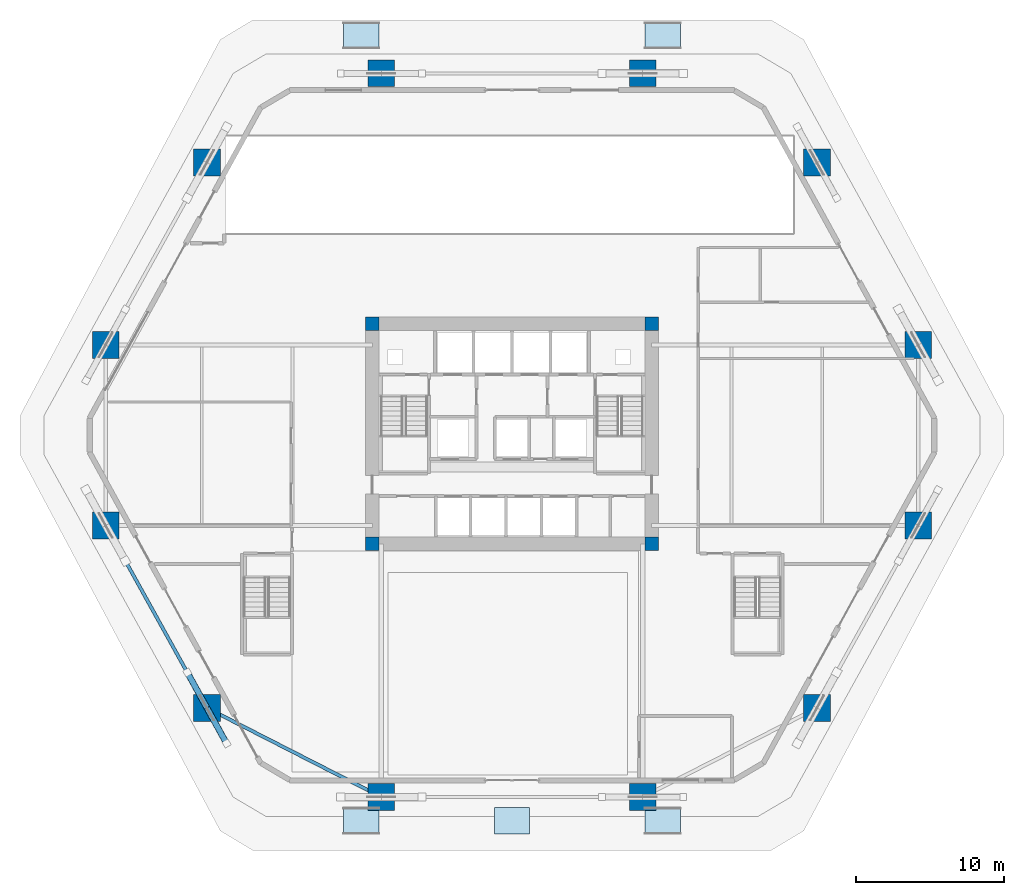
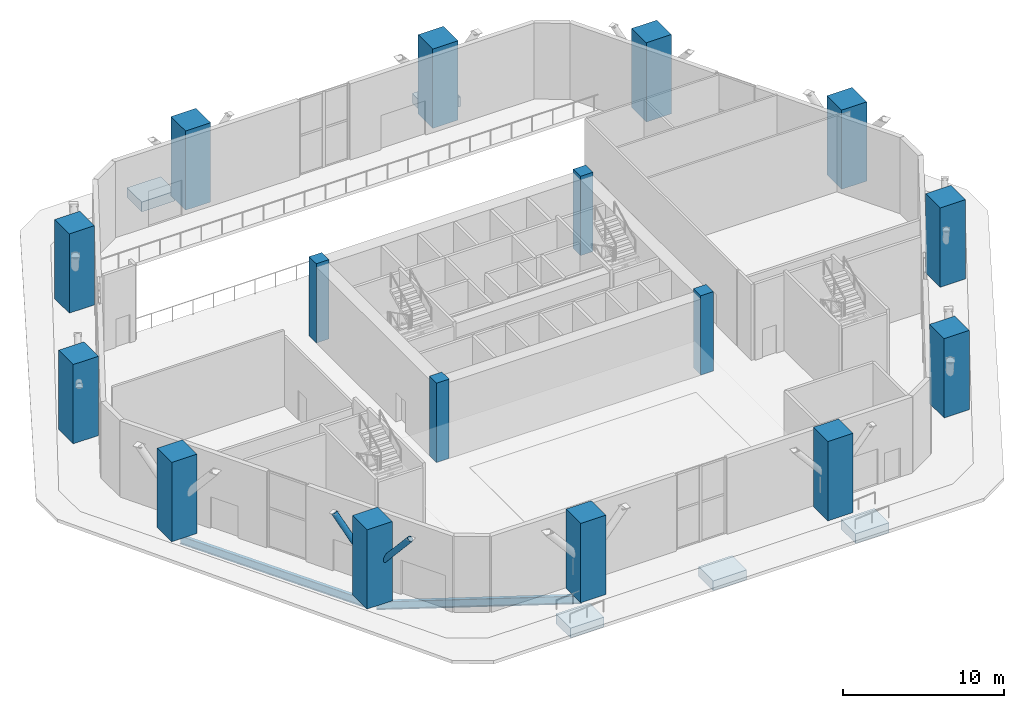
# One storey, part 1 of 22: 16 columns, 5 footings, 2 beams, 2 members.
"""IFC4 building model written with IfcOpenShell, lengths in metres."""

from ifc_helpers import new_model, si_unit, direction, frame, origin, origin_2d, place, context, subcontext, project, spatial, polyline, rectangle, hollow_circle, i_section, outline, extrude, material, material_profile, profile_set, type_object, element, save


model = new_model("IFC4")

# Units and contexts
model_context = context("Model", 3, precision=1e-05, world=origin(), true_north=direction((0.0, 1.0)))
body_context = subcontext(model_context, "Body", "Model", "MODEL_VIEW")
ifc_project = project(units=[si_unit("LENGTHUNIT", "METRE"), si_unit("AREAUNIT", "SQUARE_METRE"), si_unit("VOLUMEUNIT", "CUBIC_METRE"), si_unit("PLANEANGLEUNIT", "RADIAN"), si_unit("MASSUNIT", "GRAM", prefix="KILO")], contexts=[model_context])

# Site, building, storey
site_placement = place(None, origin())
site = spatial("IfcSite", under=ifc_project, at=site_placement, CompositionType="ELEMENT")
building_placement = place(site_placement, origin())
building = spatial("IfcBuilding", under=site, at=building_placement, Name="Cinnabar Lancet Tower", CompositionType="ELEMENT")
storey_placement = place(building_placement, origin())
storey = spatial("IfcBuildingStorey", under=building, at=storey_placement, Name="L00", CompositionType="ELEMENT", Elevation=0.0)

# Footings
ifc_material_1 = material(Name="Concrete C60/75", Category="concrete")
ifc_material_profile_1 = material_profile(ifc_material_1, rectangle(XDim=1.199951171875, YDim=1.199951171875, at=origin_2d()), Name="RC-FB 1200x1200")
ifc_profile_set_1 = profile_set([ifc_material_profile_1], Name="Concrete C60/75")
footing_type = type_object("IfcFootingType", Name="STR-FTG-FB-1200", PredefinedType="FOOTING_BEAM", material=ifc_profile_set_1)
footing_1_placement = place(storey_placement, frame((0.0, 0.0, -1.10009765625)))
element("IfcFooting", 1, at=footing_1_placement, inside=storey, type_object=footing_type, Name="Accessible Ramp AR-01 Strip Footing", PredefinedType="FOOTING_BEAM", context=body_context, shape_type="SweptSolid", body=[
    extrude(outline(polyline([(21.0, -1.199951171875), (23.39990234375, -1.199951171875), (23.39990234375, 0.60009765625), (21.0, 0.60009765625), (21.0, -1.199951171875)])), origin(), (0.0, 0.0, 1.0), 0.739990234375),
])
footing_2_placement = place(storey_placement, frame((0.0, 0.0, -1.10009765625)))
element("IfcFooting", 2, at=footing_2_placement, inside=storey, type_object=footing_type, Name="Accessible Ramp AR-02 Strip Footing", PredefinedType="FOOTING_BEAM", context=body_context, shape_type="SweptSolid", body=[
    extrude(outline(polyline([(41.39990234375, -1.199951171875), (43.800048828125, -1.199951171875), (43.800048828125, 0.60009765625), (41.39990234375, 0.60009765625), (41.39990234375, -1.199951171875)])), origin(), (0.0, 0.0, 1.0), 0.739990234375),
])
footing_3_placement = place(storey_placement, frame((0.0, 0.0, -1.10009765625)))
element("IfcFooting", 3, at=footing_3_placement, inside=storey, type_object=footing_type, Name="Accessible Ramp AR-03 Strip Footing", PredefinedType="FOOTING_BEAM", context=body_context, shape_type="SweptSolid", body=[
    extrude(outline(polyline([(31.199951171875, -1.199951171875), (33.60009765625, -1.199951171875), (33.60009765625, 0.60009765625), (31.199951171875, 0.60009765625), (31.199951171875, -1.199951171875)])), origin(), (0.0, 0.0, 1.0), 0.739990234375),
])
footing_4_placement = place(storey_placement, frame((0.0, 0.0, -1.10009765625)))
element("IfcFooting", 4, at=footing_4_placement, inside=storey, type_object=footing_type, Name="Accessible Ramp AR-04 Strip Footing", PredefinedType="FOOTING_BEAM", context=body_context, shape_type="SweptSolid", body=[
    extrude(outline(polyline([(21.0, 51.949951171875), (23.39990234375, 51.949951171875), (23.39990234375, 53.75), (21.0, 53.75), (21.0, 51.949951171875)])), origin(), (0.0, 0.0, 1.0), 0.739990234375),
])
footing_5_placement = place(storey_placement, frame((0.0, 0.0, -1.10009765625)))
element("IfcFooting", 5, at=footing_5_placement, inside=storey, type_object=footing_type, Name="Accessible Ramp AR-05 Strip Footing", PredefinedType="FOOTING_BEAM", context=body_context, shape_type="SweptSolid", body=[
    extrude(outline(polyline([(41.39990234375, 51.949951171875), (43.800048828125, 51.949951171875), (43.800048828125, 53.75), (41.39990234375, 53.75), (41.39990234375, 51.949951171875)])), origin(), (0.0, 0.0, 1.0), 0.739990234375),
])

# Columns
ifc_material_2 = material(Name="Concrete C80/95", Category="concrete")
ifc_material_profile_2 = material_profile(ifc_material_2, rectangle(XDim=0.89990234375, YDim=0.89990234375, at=origin_2d()), Name="RC-COL 900x900")
ifc_profile_set_2 = profile_set([ifc_material_profile_2], Name="Concrete C80/95")
column_type_1 = type_object("IfcColumnType", Name="STR-COL-CORE-900", PredefinedType="COLUMN", material=ifc_profile_set_2)
for number, where, z_axis, x_axis, name in (
    (6, (22.949951171875, 18.449951171875, 0.0), (0.0, 0.0, 1.0), (1.0, 0.0, 0.0), "L00 Core Corner Column SW"),
    (7, (41.85009765625, 18.449951171875, 0.0), (0.0, 0.0, 1.0), (1.0, 0.0, 0.0), "L00 Core Corner Column SE"),
    (8, (41.85009765625, 33.35009765625, 0.0), (0.0, 0.0, 1.0), (1.0, 0.0, 0.0), "L00 Core Corner Column NE"),
    (9, (22.949951171875, 33.35009765625, 0.0), (0.0, 0.0, 1.0), (1.0, 0.0, 0.0), "L00 Core Corner Column NW"),
):
    element("IfcColumn", number, at=place(storey_placement, frame(where, z_axis=z_axis, x_axis=x_axis)), inside=storey, type_object=column_type_1, Name=name, PredefinedType="COLUMN", context=body_context, shape_type="SweptSolid", body=[
        extrude(rectangle(XDim=0.89990234375, YDim=0.89990234375, at=origin_2d()), origin(), (0.0, 0.0, 1.0), 6.0),
    ])
ifc_material_3 = material(Name="Concrete C80/95", Category="concrete")
ifc_material_profile_3 = material_profile(ifc_material_3, rectangle(XDim=1.800048828125, YDim=1.800048828125, at=origin_2d()), Name="RC-MEGA 1800x1800")
ifc_profile_set_3 = profile_set([ifc_material_profile_3], Name="Concrete C80/95")
column_type_2 = type_object("IfcColumnType", Name="STR-COL-MEGA-1800", PredefinedType="COLUMN", material=ifc_profile_set_3)
for number, where, z_axis, x_axis, name in (
    (10, (23.554931640625, 1.31689453125, 0.0), (0.0, 0.0, 1.0), (1.0, 0.0, 0.0), "L00 Y-Pilotis Mega-Column 1"),
    (11, (41.2451171875, 1.31689453125, 0.0), (0.0, 0.0, 1.0), (1.0, 0.0, 0.0), "L00 Y-Pilotis Mega-Column 2"),
    (12, (53.04296875, 7.343994140625, 0.0), (0.0, 0.0, 1.0), (1.0, 0.0, 0.0), "L00 Y-Pilotis Mega-Column 3"),
    (13, (59.89111328125, 19.69189453125, 0.0), (0.0, 0.0, 1.0), (1.0, 0.0, 0.0), "L00 Y-Pilotis Mega-Column 4"),
    (14, (59.89111328125, 31.907958984375, 0.0), (0.0, 0.0, 1.0), (1.0, 0.0, 0.0), "L00 Y-Pilotis Mega-Column 5"),
    (15, (53.04296875, 44.256103515625, 0.0), (0.0, 0.0, 1.0), (1.0, 0.0, 0.0), "L00 Y-Pilotis Mega-Column 6"),
    (16, (41.2451171875, 50.282958984375, 0.0), (0.0, 0.0, 1.0), (1.0, 0.0, 0.0), "L00 Y-Pilotis Mega-Column 7"),
    (17, (23.554931640625, 50.282958984375, 0.0), (0.0, 0.0, 1.0), (1.0, 0.0, 0.0), "L00 Y-Pilotis Mega-Column 8"),
    (18, (11.757080078125, 44.256103515625, 0.0), (0.0, 0.0, 1.0), (1.0, 0.0, 0.0), "L00 Y-Pilotis Mega-Column 9"),
    (19, (4.908935546875, 31.907958984375, 0.0), (0.0, 0.0, 1.0), (1.0, 0.0, 0.0), "L00 Y-Pilotis Mega-Column 10"),
    (20, (4.908935546875, 19.69189453125, 0.0), (0.0, 0.0, 1.0), (1.0, 0.0, 0.0), "L00 Y-Pilotis Mega-Column 11"),
    (21, (11.757080078125, 7.343994140625, 0.0), (0.0, 0.0, 1.0), (1.0, 0.0, 0.0), "L00 Y-Pilotis Mega-Column 12"),
):
    element("IfcColumn", number, at=place(storey_placement, frame(where, z_axis=z_axis, x_axis=x_axis)), inside=storey, type_object=column_type_2, Name=name, PredefinedType="COLUMN", context=body_context, shape_type="SweptSolid", body=[
        extrude(rectangle(XDim=1.800048828125, YDim=1.800048828125, at=origin_2d()), origin(), (0.0, 0.0, 1.0), 6.0),
    ])

# Beams
ifc_material_4 = material(Name="Structural steel S355", Category="steel")
ifc_material_profile_4 = material_profile(ifc_material_4, i_section(OverallWidth=0.228271484375, OverallDepth=0.607666015625, WebThickness=0.010986328125, FlangeThickness=0.017333984375, FilletRadius=0.0126953125, at=origin_2d()), Name="UKB 610x229x113")
ifc_profile_set_4 = profile_set([ifc_material_profile_4], Name="Structural steel S355")
beam_type = type_object("IfcBeamType", Name="STR-BM-SPN-610", PredefinedType="SPANDREL", material=ifc_profile_set_4)
beam_1_placement = place(storey_placement, frame((5.030029296875, 19.472900390625, -0.553955078125), z_axis=(0.485044660428, -0.874489380947, 0.0), x_axis=(0.874489380947, 0.485044660428, 0.0)))
element("IfcBeam", 22, at=beam_1_placement, inside=storey, type_object=beam_type, Name="L00 Perimeter Spandrel 11", PredefinedType="SPANDREL", context=body_context, shape_type="SweptSolid", body=[
    extrude(i_section(OverallWidth=0.228271484375, OverallDepth=0.607666015625, WebThickness=0.010986328125, FlangeThickness=0.017333984375, FilletRadius=0.0126953125, at=origin_2d()), origin(), (0.0, 0.0, 1.0), 13.619384765625),
])
beam_2_placement = place(storey_placement, frame((11.97998046875, 7.22998046875, -0.553955078125), z_axis=(0.890532798964, -0.454919041116, 0.0), x_axis=(0.454919041116, 0.890532798964, 0.0)))
element("IfcBeam", 23, at=beam_2_placement, inside=storey, type_object=beam_type, Name="L00 Perimeter Spandrel 12", PredefinedType="SPANDREL", context=body_context, shape_type="SweptSolid", body=[
    extrude(i_section(OverallWidth=0.228271484375, OverallDepth=0.607666015625, WebThickness=0.010986328125, FlangeThickness=0.017333984375, FilletRadius=0.0126953125, at=origin_2d()), origin(), (0.0, 0.0, 1.0), 12.74755859375),
])

# Members
ifc_material_5 = material(Name="Structural steel S460", Category="steel")
ifc_material_profile_5 = material_profile(ifc_material_5, hollow_circle(Radius=0.203125, WallThickness=0.02001953125, at=origin_2d()), Name="CHS 406.4x20")
ifc_profile_set_5 = profile_set([ifc_material_profile_5], Name="Structural steel S460")
member_type = type_object("IfcMemberType", Name="STR-MEM-YPIL-406", PredefinedType="STRUT", material=ifc_profile_set_5)
for number, where, z_axis, x_axis, name in (
    (24, (11.757080078125, 7.343994140625, 2.199951171875), (-0.312418023343, 0.5653688128, 0.763382659093), (-0.875256370508, -0.483659266308, 0.0), "Y-Pilotis Inclined Branch Strut 12A"),
    (25, (11.757080078125, 7.343994140625, 2.199951171875), (0.312366273704, -0.565378941151, 0.76339633478), (0.875293951247, 0.483591251896, 0.0), "Y-Pilotis Inclined Branch Strut 12B"),
):
    element("IfcMember", number, at=place(storey_placement, frame(where, z_axis=z_axis, x_axis=x_axis)), inside=storey, type_object=member_type, Name=name, PredefinedType="STRUT", context=body_context, shape_type="SweptSolid", body=[
        extrude(hollow_circle(Radius=0.203125, WallThickness=0.02001953125, at=origin_2d()), origin(), (0.0, 0.0, 1.0), 4.25732421875),
    ])

save(model, "model.ifc")
